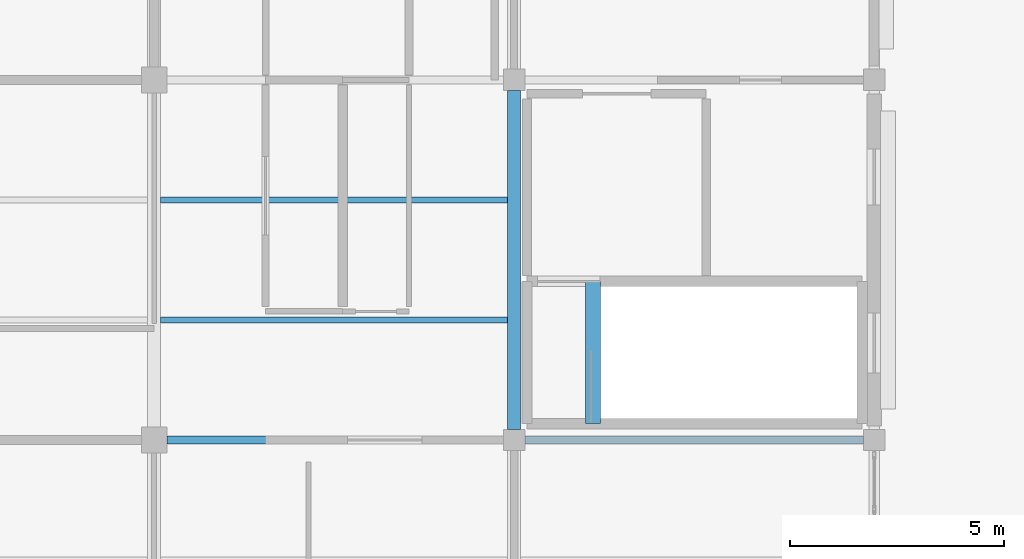
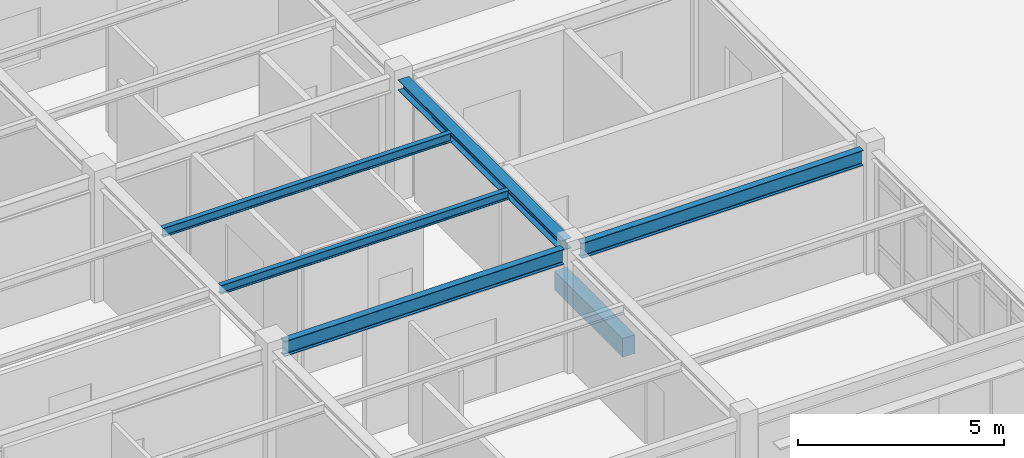
# One storey, part 11 of 70: 6 beams.
"""IFC4 building model written with IfcOpenShell, lengths in metres."""

from ifc_helpers import new_model, si_unit, direction, frame, origin, origin_2d, place, context, subcontext, project, spatial, rectangle, i_section, extrude, material, material_profile, profile_set, type_object, element, save


model = new_model("IFC4")

# Units and contexts
model_context = context("Model", 3, precision=1e-05, world=origin(), true_north=direction((0.0, 1.0)))
body_context = subcontext(model_context, "Body", "Model", "MODEL_VIEW")
ifc_project = project(units=[si_unit("LENGTHUNIT", "METRE"), si_unit("AREAUNIT", "SQUARE_METRE"), si_unit("VOLUMEUNIT", "CUBIC_METRE"), si_unit("PLANEANGLEUNIT", "RADIAN"), si_unit("MASSUNIT", "GRAM", prefix="KILO")], contexts=[model_context])

# Site, building, storey
site_placement = place(None, origin())
site = spatial("IfcSite", under=ifc_project, at=site_placement, CompositionType="ELEMENT")
building_placement = place(site_placement, origin())
building = spatial("IfcBuilding", under=site, at=building_placement, Name="Bramfleet General Hospital", CompositionType="ELEMENT")
storey_placement = place(building_placement, frame((0.0, 0.0, 22.5)))
storey = spatial("IfcBuildingStorey", under=building, at=storey_placement, Name="L05", CompositionType="ELEMENT", Elevation=22.5)

# Beams
ifc_material_1 = material(Name="Steel S355", Category="steel")
ifc_material_profile_1 = material_profile(ifc_material_1, i_section(OverallWidth=0.300048828125, OverallDepth=0.31005859375, WebThickness=0.009033203125, FlangeThickness=0.015380859375, FilletRadius=0.027099609375, at=origin_2d()), Name="HEA 320")
ifc_profile_set_1 = profile_set([ifc_material_profile_1], Name="Steel S355")
beam_type_1 = type_object("IfcBeamType", Name="BM-HEA320", PredefinedType="BEAM", material=ifc_profile_set_1)
beam_1_placement = place(storey_placement, frame((142.800048828125, 8.64990234375, 3.455078125), z_axis=(0.0, 1.0, 0.0), x_axis=(-1.0, 0.0, 0.0)))
element("IfcBeam", 1, at=beam_1_placement, inside=storey, type_object=beam_type_1, Name="L05 Grid Beam Y 17-01", PredefinedType="BEAM", context=body_context, shape_type="SweptSolid", body=[
    extrude(i_section(OverallWidth=0.300048828125, OverallDepth=0.31005859375, WebThickness=0.009033203125, FlangeThickness=0.015380859375, FilletRadius=0.027099609375, at=origin_2d()), origin(), (0.0, 0.0, 1.0), 7.900146484375),
])
ifc_material_profile_2 = material_profile(ifc_material_1, i_section(OverallWidth=0.135009765625, OverallDepth=0.27001953125, WebThickness=0.006591796875, FlangeThickness=0.01025390625, FilletRadius=0.014892578125, at=origin_2d()), Name="IPE 270")
ifc_profile_set_2 = profile_set([ifc_material_profile_2], Name="Steel S355")
beam_type_2 = type_object("IfcBeamType", Name="BM-IPE270", PredefinedType="JOIST", material=ifc_profile_set_2)
for number, where, z_axis, x_axis, name in (
    (2, (134.550048828125, 11.199951171875, 3.485107421875), (1.0, 0.0, 0.0), (0.0, 1.0, 0.0), "L05 Secondary Joist 16-01-1"),
    (3, (134.550048828125, 14.0, 3.485107421875), (1.0, 0.0, 0.0), (0.0, 1.0, 0.0), "L05 Secondary Joist 16-01-2"),
):
    element("IfcBeam", number, at=place(storey_placement, frame(where, z_axis=z_axis, x_axis=x_axis)), inside=storey, type_object=beam_type_2, Name=name, PredefinedType="JOIST", context=body_context, shape_type="SweptSolid", body=[
        extrude(i_section(OverallWidth=0.135009765625, OverallDepth=0.27001953125, WebThickness=0.006591796875, FlangeThickness=0.01025390625, FilletRadius=0.014892578125, at=origin_2d()), origin(), (0.0, 0.0, 1.0), 8.099853515625),
    ])
ifc_material_profile_3 = material_profile(ifc_material_1, i_section(OverallWidth=0.18994140625, OverallDepth=0.449951171875, WebThickness=0.009521484375, FlangeThickness=0.0146484375, FilletRadius=0.02099609375, at=origin_2d()), Name="IPE 450")
ifc_profile_set_3 = profile_set([ifc_material_profile_3], Name="Steel S355")
beam_type_3 = type_object("IfcBeamType", Name="BM-IPE450", PredefinedType="BEAM", material=ifc_profile_set_3)
beam_2_placement = place(storey_placement, frame((134.699951171875, 8.39990234375, 3.39501953125), z_axis=(1.0, 0.0, 0.0), x_axis=(0.0, 1.0, 0.0)))
element("IfcBeam", 4, at=beam_2_placement, inside=storey, type_object=beam_type_3, Name="L05 Grid Beam X 16-01", PredefinedType="BEAM", context=body_context, shape_type="SweptSolid", body=[
    extrude(i_section(OverallWidth=0.18994140625, OverallDepth=0.449951171875, WebThickness=0.009521484375, FlangeThickness=0.0146484375, FilletRadius=0.02099609375, at=origin_2d()), origin(), (0.0, 0.0, 1.0), 7.85009765625),
])
beam_3_placement = place(storey_placement, frame((143.050048828125, 8.39990234375, 3.385009765625), z_axis=(1.0, 0.0, 0.0), x_axis=(0.0, 1.0, 0.0)))
element("IfcBeam", 5, at=beam_3_placement, inside=storey, type_object=beam_type_3, Name="L05 Grid Beam X 17-01", PredefinedType="BEAM", context=body_context, shape_type="SweptSolid", body=[
    extrude(i_section(OverallWidth=0.18994140625, OverallDepth=0.449951171875, WebThickness=0.009521484375, FlangeThickness=0.0146484375, FilletRadius=0.02099609375, at=origin_2d()), origin(), (0.0, 0.0, 1.0), 7.89990234375),
])
ifc_material_2 = material(Name="Concrete C35/45", Category="concrete")
ifc_material_profile_4 = material_profile(ifc_material_2, rectangle(XDim=0.35009765625, YDim=0.550048828125, at=origin_2d()), Name="RC BM 550x350")
ifc_profile_set_4 = profile_set([ifc_material_profile_4], Name="Concrete C35/45")
beam_type_4 = type_object("IfcBeamType", Name="BM-RC550", PredefinedType="BEAM", material=ifc_profile_set_4)
beam_4_placement = place(storey_placement, frame((144.639892578125, 8.780029296875, -0.27490234375), z_axis=(0.0, 1.0, 0.0), x_axis=(-1.0, 0.0, 0.0)))
element("IfcBeam", 6, at=beam_4_placement, inside=storey, type_object=beam_type_4, Name="L05 C10 Stairwell Trimmer Beam", PredefinedType="BEAM", context=body_context, shape_type="SweptSolid", body=[
    extrude(rectangle(XDim=0.35009765625, YDim=0.550048828125, at=origin_2d()), origin(), (0.0, 0.0, 1.0), 3.320068359375),
])

save(model, "model.ifc")
